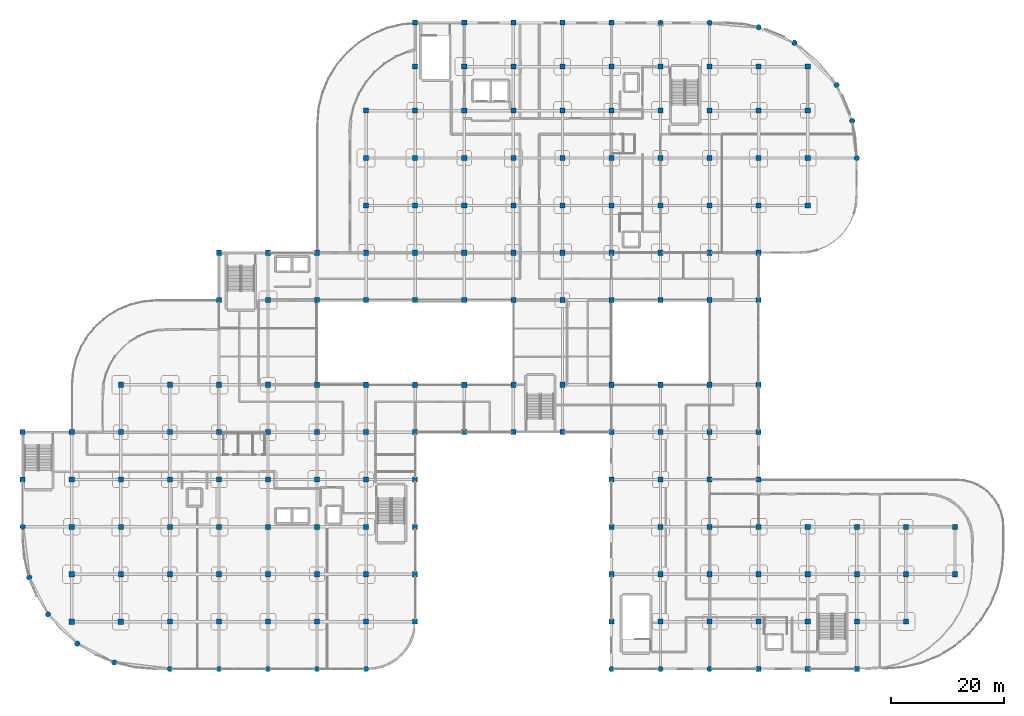
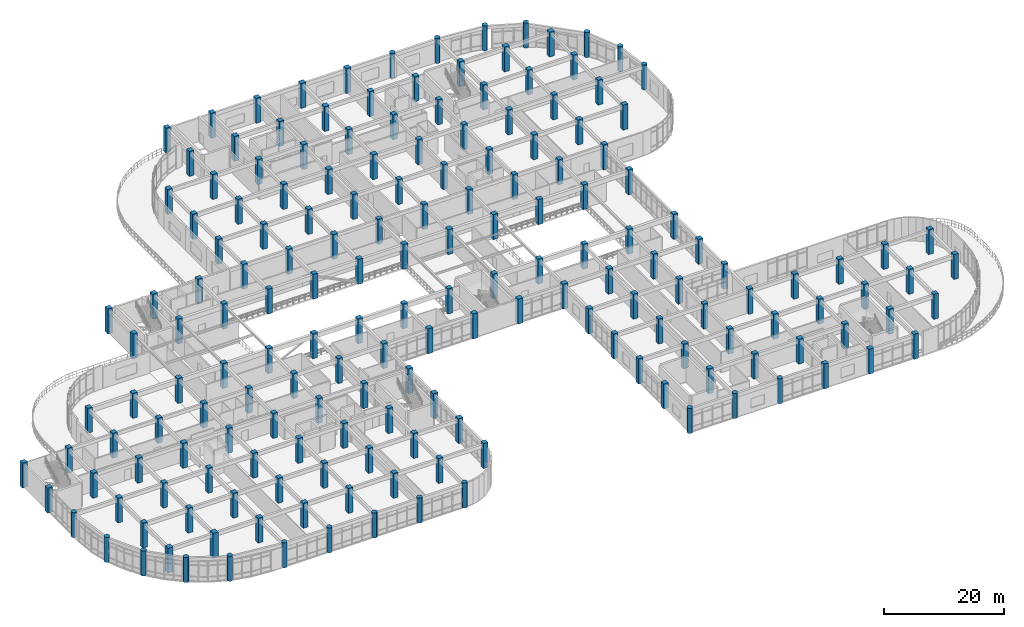
# One storey, part 1 of 120: 181 columns.
"""IFC4 building model written with IfcOpenShell, lengths in metres."""

from ifc_helpers import new_model, si_unit, derived_unit, direction, frame, origin, origin_2d, place, context, subcontext, project, spatial, rectangle, circle, extrude, material, material_profile, profile_set, type_object, element, save


model = new_model("IFC4")

# Units and contexts
model_context = context("Model", 3, precision=1e-05, world=origin(), true_north=direction((0.0, 1.0)))
body_context = subcontext(model_context, "Body", "Model", "MODEL_VIEW")
ifc_project = project(units=[si_unit("LENGTHUNIT", "METRE"), si_unit("AREAUNIT", "SQUARE_METRE"), si_unit("VOLUMEUNIT", "CUBIC_METRE"), si_unit("PLANEANGLEUNIT", "RADIAN"), si_unit("MASSUNIT", "GRAM", prefix="KILO"), derived_unit("THERMALTRANSMITTANCEUNIT", [(si_unit("MASSUNIT", "GRAM", prefix="KILO"), 1), (si_unit("TIMEUNIT", "SECOND"), -3), (si_unit("THERMODYNAMICTEMPERATUREUNIT", "KELVIN"), -1)])], contexts=[model_context])

# Site, building, storey
site_placement = place(None, origin())
site = spatial("IfcSite", under=ifc_project, at=site_placement, CompositionType="ELEMENT")
building_placement = place(site_placement, origin())
building = spatial("IfcBuilding", under=site, at=building_placement, Name="Qinzheling Arcade Emporium", CompositionType="ELEMENT")
storey_placement = place(building_placement, frame((0.0, 0.0, 11.39990234375)))
storey = spatial("IfcBuildingStorey", under=building, at=storey_placement, Name="L03", CompositionType="ELEMENT", Elevation=11.39990234375)

# Columns
ifc_material = material(Name="Concrete C50", Category="concrete")
ifc_material_profile_1 = material_profile(ifc_material, circle(Radius=0.47509765625, at=origin_2d()), Name="RC D950", Category="concrete")
ifc_profile_set_1 = profile_set([ifc_material_profile_1], Name="Concrete C50")
column_type_1 = type_object("IfcColumnType", Name="Arcade Pier Column D950 C50", PredefinedType="PILASTER", material=ifc_profile_set_1)
for number, where, z_axis, x_axis, name in (
    (1, (0.0, 25.199951171875, 0.0), (0.0, 0.0, 1.0), (1.0, 0.0, 0.0), "Column COL-L03-1-D"),
    (2, (26.10009765625, 0.0, 0.0), (0.0, 0.0, 1.0), (1.0, 0.0, 0.0), "Column COL-L03-4-A"),
    (3, (34.800048828125, 0.0, 0.0), (0.0, 0.0, 1.0), (1.0, 0.0, 0.0), "Column COL-L03-5-A"),
    (4, (43.5, 0.0, 0.0), (0.0, 0.0, 1.0), (1.0, 0.0, 0.0), "Column COL-L03-6-A"),
    (5, (52.199951171875, 0.0, 0.0), (0.0, 0.0, 1.0), (1.0, 0.0, 0.0), "Column COL-L03-7-A"),
    (6, (60.89990234375, 0.0, 0.0), (0.0, 0.0, 1.0), (1.0, 0.0, 0.0), "Column COL-L03-8-A"),
    (7, (104.39990234375, 0.0, 0.0), (0.0, 0.0, 1.0), (1.0, 0.0, 0.0), "Column COL-L03-13-A"),
    (8, (113.10009765625, 0.0, 0.0), (0.0, 0.0, 1.0), (1.0, 0.0, 0.0), "Column COL-L03-14-A"),
    (9, (113.10009765625, 114.60009765625, 0.0), (0.0, 0.0, 1.0), (1.0, 0.0, 0.0), "Column COL-L03-14-P"),
    (10, (121.800048828125, 0.0, 0.0), (0.0, 0.0, 1.0), (1.0, 0.0, 0.0), "Column COL-L03-15-A"),
    (11, (121.800048828125, 114.60009765625, 0.0), (0.0, 0.0, 1.0), (1.0, 0.0, 0.0), "Column COL-L03-15-P"),
    (12, (147.89990234375, 90.60009765625, 0.0), (0.0, 0.0, 1.0), (1.0, 0.0, 0.0), "Column COL-L03-18-L"),
    (13, (1.14990234375, 16.238037109375, 0.0), (0.0, 0.0, 1.0), (1.0, 0.0, 0.0), "Curved Arcade Pier COL-L03-CV1-P01"),
    (14, (4.488037109375, 9.68701171875, 0.0), (0.0, 0.0, 1.0), (1.0, 0.0, 0.0), "Curved Arcade Pier COL-L03-CV1-P02"),
    (15, (9.68701171875, 4.488037109375, 0.0), (0.0, 0.0, 1.0), (1.0, 0.0, 0.0), "Curved Arcade Pier COL-L03-CV1-P03"),
    (16, (16.238037109375, 1.14990234375, 0.0), (0.0, 0.0, 1.0), (1.0, 0.0, 0.0), "Curved Arcade Pier COL-L03-CV1-P04"),
    (17, (147.09912109375, 97.181884765625, 0.0), (0.0, 0.0, 1.0), (1.0, 0.0, 0.0), "Curved Arcade Pier COL-L03-CV6-P01"),
    (18, (144.3291015625, 103.552978515625, 0.0), (0.0, 0.0, 1.0), (1.0, 0.0, 0.0), "Curved Arcade Pier COL-L03-CV6-P02"),
    (19, (136.85302734375, 111.029052734375, 0.0), (0.0, 0.0, 1.0), (1.0, 0.0, 0.0), "Curved Arcade Pier COL-L03-CV6-P03"),
    (20, (130.48193359375, 113.799072265625, 0.0), (0.0, 0.0, 1.0), (1.0, 0.0, 0.0), "Curved Arcade Pier COL-L03-CV6-P04"),
):
    element("IfcColumn", number, at=place(storey_placement, frame(where, z_axis=z_axis, x_axis=x_axis)), inside=storey, type_object=column_type_1, Name=name, PredefinedType="PILASTER", context=body_context, shape_type="SweptSolid", body=[
        extrude(circle(Radius=0.47509765625, at=origin_2d()), origin(), (0.0, 0.0, 1.0), 5.10009765625),
    ])
ifc_material_profile_2 = material_profile(ifc_material, rectangle(XDim=1.0, YDim=1.0, at=origin_2d()), Name="RC 1000x1000", Category="concrete")
ifc_profile_set_2 = profile_set([ifc_material_profile_2], Name="Concrete C50")
column_type_2 = type_object("IfcColumnType", Name="RC Column 1000x1000 C50", PredefinedType="COLUMN", material=ifc_profile_set_2)
for number, where, z_axis, x_axis, name in (
    (21, (8.699951171875, 8.39990234375, 0.0), (0.0, 0.0, 1.0), (1.0, 0.0, 0.0), "Column COL-L03-2-B"),
    (22, (17.39990234375, 8.39990234375, 0.0), (0.0, 0.0, 1.0), (1.0, 0.0, 0.0), "Column COL-L03-3-B"),
):
    element("IfcColumn", number, at=place(storey_placement, frame(where, z_axis=z_axis, x_axis=x_axis)), inside=storey, type_object=column_type_2, Name=name, PredefinedType="COLUMN", context=body_context, shape_type="SweptSolid", body=[
        extrude(rectangle(XDim=1.0, YDim=1.0, at=origin_2d()), origin(), (0.0, 0.0, 1.0), 5.10009765625),
    ])
ifc_material_profile_3 = material_profile(ifc_material, rectangle(XDim=0.89990234375, YDim=0.89990234375, at=origin_2d()), Name="RC 900x900", Category="concrete")
ifc_profile_set_3 = profile_set([ifc_material_profile_3], Name="Concrete C50")
column_type_3 = type_object("IfcColumnType", Name="RC Column 900x900 C50", PredefinedType="COLUMN", material=ifc_profile_set_3)
for number, where, z_axis, x_axis, name in (
    (23, (0.0, 33.60009765625, 0.0), (0.0, 0.0, 1.0), (1.0, 0.0, 0.0), "Column COL-L03-1-E"),
    (24, (0.0, 42.0, 0.0), (0.0, 0.0, 1.0), (1.0, 0.0, 0.0), "Column COL-L03-1-F"),
    (25, (8.699951171875, 16.800048828125, 0.0), (0.0, 0.0, 1.0), (1.0, 0.0, 0.0), "Column COL-L03-2-C"),
    (26, (8.699951171875, 25.199951171875, 0.0), (0.0, 0.0, 1.0), (1.0, 0.0, 0.0), "Column COL-L03-2-D"),
    (27, (8.699951171875, 33.60009765625, 0.0), (0.0, 0.0, 1.0), (1.0, 0.0, 0.0), "Column COL-L03-2-E"),
    (28, (8.699951171875, 42.0, 0.0), (0.0, 0.0, 1.0), (1.0, 0.0, 0.0), "Column COL-L03-2-F"),
    (29, (17.39990234375, 16.800048828125, 0.0), (0.0, 0.0, 1.0), (1.0, 0.0, 0.0), "Column COL-L03-3-C"),
    (30, (17.39990234375, 25.199951171875, 0.0), (0.0, 0.0, 1.0), (1.0, 0.0, 0.0), "Column COL-L03-3-D"),
    (31, (17.39990234375, 33.60009765625, 0.0), (0.0, 0.0, 1.0), (1.0, 0.0, 0.0), "Column COL-L03-3-E"),
    (32, (17.39990234375, 42.0, 0.0), (0.0, 0.0, 1.0), (1.0, 0.0, 0.0), "Column COL-L03-3-F"),
    (33, (17.39990234375, 50.39990234375, 0.0), (0.0, 0.0, 1.0), (1.0, 0.0, 0.0), "Column COL-L03-3-G"),
    (34, (26.10009765625, 8.39990234375, 0.0), (0.0, 0.0, 1.0), (1.0, 0.0, 0.0), "Column COL-L03-4-B"),
    (35, (26.10009765625, 16.800048828125, 0.0), (0.0, 0.0, 1.0), (1.0, 0.0, 0.0), "Column COL-L03-4-C"),
    (36, (26.10009765625, 25.199951171875, 0.0), (0.0, 0.0, 1.0), (1.0, 0.0, 0.0), "Column COL-L03-4-D"),
    (37, (26.10009765625, 33.60009765625, 0.0), (0.0, 0.0, 1.0), (1.0, 0.0, 0.0), "Column COL-L03-4-E"),
    (38, (26.10009765625, 42.0, 0.0), (0.0, 0.0, 1.0), (1.0, 0.0, 0.0), "Column COL-L03-4-F"),
    (39, (26.10009765625, 50.39990234375, 0.0), (0.0, 0.0, 1.0), (1.0, 0.0, 0.0), "Column COL-L03-4-G"),
    (40, (34.800048828125, 8.39990234375, 0.0), (0.0, 0.0, 1.0), (1.0, 0.0, 0.0), "Column COL-L03-5-B"),
    (41, (34.800048828125, 16.800048828125, 0.0), (0.0, 0.0, 1.0), (1.0, 0.0, 0.0), "Column COL-L03-5-C"),
    (42, (34.800048828125, 25.199951171875, 0.0), (0.0, 0.0, 1.0), (1.0, 0.0, 0.0), "Column COL-L03-5-D"),
    (43, (34.800048828125, 33.60009765625, 0.0), (0.0, 0.0, 1.0), (1.0, 0.0, 0.0), "Column COL-L03-5-E"),
    (44, (34.800048828125, 42.0, 0.0), (0.0, 0.0, 1.0), (1.0, 0.0, 0.0), "Column COL-L03-5-F"),
    (45, (34.800048828125, 50.39990234375, 0.0), (0.0, 0.0, 1.0), (1.0, 0.0, 0.0), "Column COL-L03-5-G"),
    (46, (34.800048828125, 65.39990234375, 0.0), (0.0, 0.0, 1.0), (1.0, 0.0, 0.0), "Column COL-L03-5-H"),
    (47, (34.800048828125, 73.800048828125, 0.0), (0.0, 0.0, 1.0), (1.0, 0.0, 0.0), "Column COL-L03-5-J"),
    (48, (43.5, 8.39990234375, 0.0), (0.0, 0.0, 1.0), (1.0, 0.0, 0.0), "Column COL-L03-6-B"),
    (49, (43.5, 16.800048828125, 0.0), (0.0, 0.0, 1.0), (1.0, 0.0, 0.0), "Column COL-L03-6-C"),
    (50, (43.5, 25.199951171875, 0.0), (0.0, 0.0, 1.0), (1.0, 0.0, 0.0), "Column COL-L03-6-D"),
    (51, (43.5, 33.60009765625, 0.0), (0.0, 0.0, 1.0), (1.0, 0.0, 0.0), "Column COL-L03-6-E"),
    (52, (43.5, 42.0, 0.0), (0.0, 0.0, 1.0), (1.0, 0.0, 0.0), "Column COL-L03-6-F"),
    (53, (43.5, 50.39990234375, 0.0), (0.0, 0.0, 1.0), (1.0, 0.0, 0.0), "Column COL-L03-6-G"),
    (54, (43.5, 65.39990234375, 0.0), (0.0, 0.0, 1.0), (1.0, 0.0, 0.0), "Column COL-L03-6-H"),
    (55, (43.5, 73.800048828125, 0.0), (0.0, 0.0, 1.0), (1.0, 0.0, 0.0), "Column COL-L03-6-J"),
    (56, (52.199951171875, 8.39990234375, 0.0), (0.0, 0.0, 1.0), (1.0, 0.0, 0.0), "Column COL-L03-7-B"),
    (57, (52.199951171875, 16.800048828125, 0.0), (0.0, 0.0, 1.0), (1.0, 0.0, 0.0), "Column COL-L03-7-C"),
    (58, (52.199951171875, 25.199951171875, 0.0), (0.0, 0.0, 1.0), (1.0, 0.0, 0.0), "Column COL-L03-7-D"),
    (59, (52.199951171875, 33.60009765625, 0.0), (0.0, 0.0, 1.0), (1.0, 0.0, 0.0), "Column COL-L03-7-E"),
    (60, (52.199951171875, 42.0, 0.0), (0.0, 0.0, 1.0), (1.0, 0.0, 0.0), "Column COL-L03-7-F"),
    (61, (52.199951171875, 50.39990234375, 0.0), (0.0, 0.0, 1.0), (1.0, 0.0, 0.0), "Column COL-L03-7-G"),
    (62, (52.199951171875, 65.39990234375, 0.0), (0.0, 0.0, 1.0), (1.0, 0.0, 0.0), "Column COL-L03-7-H"),
    (63, (52.199951171875, 73.800048828125, 0.0), (0.0, 0.0, 1.0), (1.0, 0.0, 0.0), "Column COL-L03-7-J"),
    (64, (60.89990234375, 8.39990234375, 0.0), (0.0, 0.0, 1.0), (1.0, 0.0, 0.0), "Column COL-L03-8-B"),
    (65, (60.89990234375, 16.800048828125, 0.0), (0.0, 0.0, 1.0), (1.0, 0.0, 0.0), "Column COL-L03-8-C"),
    (66, (60.89990234375, 25.199951171875, 0.0), (0.0, 0.0, 1.0), (1.0, 0.0, 0.0), "Column COL-L03-8-D"),
    (67, (60.89990234375, 33.60009765625, 0.0), (0.0, 0.0, 1.0), (1.0, 0.0, 0.0), "Column COL-L03-8-E"),
    (68, (60.89990234375, 42.0, 0.0), (0.0, 0.0, 1.0), (1.0, 0.0, 0.0), "Column COL-L03-8-F"),
    (69, (60.89990234375, 50.39990234375, 0.0), (0.0, 0.0, 1.0), (1.0, 0.0, 0.0), "Column COL-L03-8-G"),
    (70, (60.89990234375, 65.39990234375, 0.0), (0.0, 0.0, 1.0), (1.0, 0.0, 0.0), "Column COL-L03-8-H"),
    (71, (60.89990234375, 73.800048828125, 0.0), (0.0, 0.0, 1.0), (1.0, 0.0, 0.0), "Column COL-L03-8-J"),
    (72, (60.89990234375, 82.199951171875, 0.0), (0.0, 0.0, 1.0), (1.0, 0.0, 0.0), "Column COL-L03-8-K"),
    (73, (60.89990234375, 90.60009765625, 0.0), (0.0, 0.0, 1.0), (1.0, 0.0, 0.0), "Column COL-L03-8-L"),
    (74, (60.89990234375, 99.0, 0.0), (0.0, 0.0, 1.0), (1.0, 0.0, 0.0), "Column COL-L03-8-M"),
    (75, (69.60009765625, 8.39990234375, 0.0), (0.0, 0.0, 1.0), (1.0, 0.0, 0.0), "Column COL-L03-9-B"),
    (76, (69.60009765625, 16.800048828125, 0.0), (0.0, 0.0, 1.0), (1.0, 0.0, 0.0), "Column COL-L03-9-C"),
    (77, (69.60009765625, 25.199951171875, 0.0), (0.0, 0.0, 1.0), (1.0, 0.0, 0.0), "Column COL-L03-9-D"),
    (78, (69.60009765625, 33.60009765625, 0.0), (0.0, 0.0, 1.0), (1.0, 0.0, 0.0), "Column COL-L03-9-E"),
    (79, (69.60009765625, 42.0, 0.0), (0.0, 0.0, 1.0), (1.0, 0.0, 0.0), "Column COL-L03-9-F"),
    (80, (69.60009765625, 50.39990234375, 0.0), (0.0, 0.0, 1.0), (1.0, 0.0, 0.0), "Column COL-L03-9-G"),
    (81, (69.60009765625, 65.39990234375, 0.0), (0.0, 0.0, 1.0), (1.0, 0.0, 0.0), "Column COL-L03-9-H"),
    (82, (69.60009765625, 73.800048828125, 0.0), (0.0, 0.0, 1.0), (1.0, 0.0, 0.0), "Column COL-L03-9-J"),
    (83, (69.60009765625, 82.199951171875, 0.0), (0.0, 0.0, 1.0), (1.0, 0.0, 0.0), "Column COL-L03-9-K"),
    (84, (69.60009765625, 90.60009765625, 0.0), (0.0, 0.0, 1.0), (1.0, 0.0, 0.0), "Column COL-L03-9-L"),
    (85, (69.60009765625, 99.0, 0.0), (0.0, 0.0, 1.0), (1.0, 0.0, 0.0), "Column COL-L03-9-M"),
    (86, (69.60009765625, 106.800048828125, 0.0), (0.0, 0.0, 1.0), (1.0, 0.0, 0.0), "Column COL-L03-9-N"),
    (87, (69.60009765625, 114.60009765625, 0.0), (0.0, 0.0, 1.0), (1.0, 0.0, 0.0), "Column COL-L03-9-P"),
    (88, (78.300048828125, 42.0, 0.0), (0.0, 0.0, 1.0), (1.0, 0.0, 0.0), "Column COL-L03-10-F"),
    (89, (78.300048828125, 50.39990234375, 0.0), (0.0, 0.0, 1.0), (1.0, 0.0, 0.0), "Column COL-L03-10-G"),
    (90, (78.300048828125, 65.39990234375, 0.0), (0.0, 0.0, 1.0), (1.0, 0.0, 0.0), "Column COL-L03-10-H"),
    (91, (78.300048828125, 73.800048828125, 0.0), (0.0, 0.0, 1.0), (1.0, 0.0, 0.0), "Column COL-L03-10-J"),
    (92, (78.300048828125, 82.199951171875, 0.0), (0.0, 0.0, 1.0), (1.0, 0.0, 0.0), "Column COL-L03-10-K"),
    (93, (78.300048828125, 90.60009765625, 0.0), (0.0, 0.0, 1.0), (1.0, 0.0, 0.0), "Column COL-L03-10-L"),
    (94, (78.300048828125, 99.0, 0.0), (0.0, 0.0, 1.0), (1.0, 0.0, 0.0), "Column COL-L03-10-M"),
    (95, (78.300048828125, 106.800048828125, 0.0), (0.0, 0.0, 1.0), (1.0, 0.0, 0.0), "Column COL-L03-10-N"),
    (96, (78.300048828125, 114.60009765625, 0.0), (0.0, 0.0, 1.0), (1.0, 0.0, 0.0), "Column COL-L03-10-P"),
    (97, (87.0, 42.0, 0.0), (0.0, 0.0, 1.0), (1.0, 0.0, 0.0), "Column COL-L03-11-F"),
    (98, (87.0, 50.39990234375, 0.0), (0.0, 0.0, 1.0), (1.0, 0.0, 0.0), "Column COL-L03-11-G"),
    (99, (87.0, 65.39990234375, 0.0), (0.0, 0.0, 1.0), (1.0, 0.0, 0.0), "Column COL-L03-11-H"),
    (100, (87.0, 73.800048828125, 0.0), (0.0, 0.0, 1.0), (1.0, 0.0, 0.0), "Column COL-L03-11-J"),
    (101, (87.0, 82.199951171875, 0.0), (0.0, 0.0, 1.0), (1.0, 0.0, 0.0), "Column COL-L03-11-K"),
    (102, (87.0, 90.60009765625, 0.0), (0.0, 0.0, 1.0), (1.0, 0.0, 0.0), "Column COL-L03-11-L"),
    (103, (87.0, 99.0, 0.0), (0.0, 0.0, 1.0), (1.0, 0.0, 0.0), "Column COL-L03-11-M"),
    (104, (87.0, 106.800048828125, 0.0), (0.0, 0.0, 1.0), (1.0, 0.0, 0.0), "Column COL-L03-11-N"),
    (105, (87.0, 114.60009765625, 0.0), (0.0, 0.0, 1.0), (1.0, 0.0, 0.0), "Column COL-L03-11-P"),
    (106, (95.699951171875, 42.0, 0.0), (0.0, 0.0, 1.0), (1.0, 0.0, 0.0), "Column COL-L03-12-F"),
    (107, (95.699951171875, 50.39990234375, 0.0), (0.0, 0.0, 1.0), (1.0, 0.0, 0.0), "Column COL-L03-12-G"),
    (108, (95.699951171875, 65.39990234375, 0.0), (0.0, 0.0, 1.0), (1.0, 0.0, 0.0), "Column COL-L03-12-H"),
    (109, (95.699951171875, 73.800048828125, 0.0), (0.0, 0.0, 1.0), (1.0, 0.0, 0.0), "Column COL-L03-12-J"),
    (110, (95.699951171875, 82.199951171875, 0.0), (0.0, 0.0, 1.0), (1.0, 0.0, 0.0), "Column COL-L03-12-K"),
    (111, (95.699951171875, 90.60009765625, 0.0), (0.0, 0.0, 1.0), (1.0, 0.0, 0.0), "Column COL-L03-12-L"),
    (112, (95.699951171875, 99.0, 0.0), (0.0, 0.0, 1.0), (1.0, 0.0, 0.0), "Column COL-L03-12-M"),
    (113, (95.699951171875, 106.800048828125, 0.0), (0.0, 0.0, 1.0), (1.0, 0.0, 0.0), "Column COL-L03-12-N"),
    (114, (95.699951171875, 114.60009765625, 0.0), (0.0, 0.0, 1.0), (1.0, 0.0, 0.0), "Column COL-L03-12-P"),
    (115, (104.39990234375, 8.39990234375, 0.0), (0.0, 0.0, 1.0), (1.0, 0.0, 0.0), "Column COL-L03-13-B"),
    (116, (104.39990234375, 16.800048828125, 0.0), (0.0, 0.0, 1.0), (1.0, 0.0, 0.0), "Column COL-L03-13-C"),
    (117, (104.39990234375, 25.199951171875, 0.0), (0.0, 0.0, 1.0), (1.0, 0.0, 0.0), "Column COL-L03-13-D"),
    (118, (104.39990234375, 33.60009765625, 0.0), (0.0, 0.0, 1.0), (1.0, 0.0, 0.0), "Column COL-L03-13-E"),
    (119, (104.39990234375, 42.0, 0.0), (0.0, 0.0, 1.0), (1.0, 0.0, 0.0), "Column COL-L03-13-F"),
    (120, (104.39990234375, 50.39990234375, 0.0), (0.0, 0.0, 1.0), (1.0, 0.0, 0.0), "Column COL-L03-13-G"),
    (121, (104.39990234375, 65.39990234375, 0.0), (0.0, 0.0, 1.0), (1.0, 0.0, 0.0), "Column COL-L03-13-H"),
    (122, (104.39990234375, 73.800048828125, 0.0), (0.0, 0.0, 1.0), (1.0, 0.0, 0.0), "Column COL-L03-13-J"),
    (123, (104.39990234375, 82.199951171875, 0.0), (0.0, 0.0, 1.0), (1.0, 0.0, 0.0), "Column COL-L03-13-K"),
    (124, (104.39990234375, 90.60009765625, 0.0), (0.0, 0.0, 1.0), (1.0, 0.0, 0.0), "Column COL-L03-13-L"),
    (125, (104.39990234375, 99.0, 0.0), (0.0, 0.0, 1.0), (1.0, 0.0, 0.0), "Column COL-L03-13-M"),
    (126, (104.39990234375, 106.800048828125, 0.0), (0.0, 0.0, 1.0), (1.0, 0.0, 0.0), "Column COL-L03-13-N"),
    (127, (104.39990234375, 114.60009765625, 0.0), (0.0, 0.0, 1.0), (1.0, 0.0, 0.0), "Column COL-L03-13-P"),
    (128, (113.10009765625, 8.39990234375, 0.0), (0.0, 0.0, 1.0), (1.0, 0.0, 0.0), "Column COL-L03-14-B"),
    (129, (113.10009765625, 16.800048828125, 0.0), (0.0, 0.0, 1.0), (1.0, 0.0, 0.0), "Column COL-L03-14-C"),
    (130, (113.10009765625, 25.199951171875, 0.0), (0.0, 0.0, 1.0), (1.0, 0.0, 0.0), "Column COL-L03-14-D"),
    (131, (113.10009765625, 33.60009765625, 0.0), (0.0, 0.0, 1.0), (1.0, 0.0, 0.0), "Column COL-L03-14-E"),
    (132, (113.10009765625, 42.0, 0.0), (0.0, 0.0, 1.0), (1.0, 0.0, 0.0), "Column COL-L03-14-F"),
    (133, (113.10009765625, 50.39990234375, 0.0), (0.0, 0.0, 1.0), (1.0, 0.0, 0.0), "Column COL-L03-14-G"),
    (134, (113.10009765625, 65.39990234375, 0.0), (0.0, 0.0, 1.0), (1.0, 0.0, 0.0), "Column COL-L03-14-H"),
    (135, (113.10009765625, 73.800048828125, 0.0), (0.0, 0.0, 1.0), (1.0, 0.0, 0.0), "Column COL-L03-14-J"),
    (136, (113.10009765625, 82.199951171875, 0.0), (0.0, 0.0, 1.0), (1.0, 0.0, 0.0), "Column COL-L03-14-K"),
    (137, (113.10009765625, 90.60009765625, 0.0), (0.0, 0.0, 1.0), (1.0, 0.0, 0.0), "Column COL-L03-14-L"),
    (138, (113.10009765625, 99.0, 0.0), (0.0, 0.0, 1.0), (1.0, 0.0, 0.0), "Column COL-L03-14-M"),
    (139, (113.10009765625, 106.800048828125, 0.0), (0.0, 0.0, 1.0), (1.0, 0.0, 0.0), "Column COL-L03-14-N"),
    (140, (121.800048828125, 8.39990234375, 0.0), (0.0, 0.0, 1.0), (1.0, 0.0, 0.0), "Column COL-L03-15-B"),
    (141, (121.800048828125, 16.800048828125, 0.0), (0.0, 0.0, 1.0), (1.0, 0.0, 0.0), "Column COL-L03-15-C"),
    (142, (121.800048828125, 25.199951171875, 0.0), (0.0, 0.0, 1.0), (1.0, 0.0, 0.0), "Column COL-L03-15-D"),
    (143, (121.800048828125, 33.60009765625, 0.0), (0.0, 0.0, 1.0), (1.0, 0.0, 0.0), "Column COL-L03-15-E"),
    (144, (121.800048828125, 42.0, 0.0), (0.0, 0.0, 1.0), (1.0, 0.0, 0.0), "Column COL-L03-15-F"),
    (145, (121.800048828125, 50.39990234375, 0.0), (0.0, 0.0, 1.0), (1.0, 0.0, 0.0), "Column COL-L03-15-G"),
    (146, (121.800048828125, 65.39990234375, 0.0), (0.0, 0.0, 1.0), (1.0, 0.0, 0.0), "Column COL-L03-15-H"),
    (147, (121.800048828125, 73.800048828125, 0.0), (0.0, 0.0, 1.0), (1.0, 0.0, 0.0), "Column COL-L03-15-J"),
    (148, (121.800048828125, 82.199951171875, 0.0), (0.0, 0.0, 1.0), (1.0, 0.0, 0.0), "Column COL-L03-15-K"),
    (149, (121.800048828125, 90.60009765625, 0.0), (0.0, 0.0, 1.0), (1.0, 0.0, 0.0), "Column COL-L03-15-L"),
    (150, (121.800048828125, 99.0, 0.0), (0.0, 0.0, 1.0), (1.0, 0.0, 0.0), "Column COL-L03-15-M"),
    (151, (121.800048828125, 106.800048828125, 0.0), (0.0, 0.0, 1.0), (1.0, 0.0, 0.0), "Column COL-L03-15-N"),
    (152, (130.5, 0.0, 0.0), (0.0, 0.0, 1.0), (1.0, 0.0, 0.0), "Column COL-L03-16-A"),
    (153, (130.5, 8.39990234375, 0.0), (0.0, 0.0, 1.0), (1.0, 0.0, 0.0), "Column COL-L03-16-B"),
    (154, (130.5, 16.800048828125, 0.0), (0.0, 0.0, 1.0), (1.0, 0.0, 0.0), "Column COL-L03-16-C"),
    (155, (130.5, 25.199951171875, 0.0), (0.0, 0.0, 1.0), (1.0, 0.0, 0.0), "Column COL-L03-16-D"),
    (156, (130.5, 33.60009765625, 0.0), (0.0, 0.0, 1.0), (1.0, 0.0, 0.0), "Column COL-L03-16-E"),
    (157, (130.5, 42.0, 0.0), (0.0, 0.0, 1.0), (1.0, 0.0, 0.0), "Column COL-L03-16-F"),
    (158, (130.5, 50.39990234375, 0.0), (0.0, 0.0, 1.0), (1.0, 0.0, 0.0), "Column COL-L03-16-G"),
    (159, (130.5, 65.39990234375, 0.0), (0.0, 0.0, 1.0), (1.0, 0.0, 0.0), "Column COL-L03-16-H"),
    (160, (130.5, 73.800048828125, 0.0), (0.0, 0.0, 1.0), (1.0, 0.0, 0.0), "Column COL-L03-16-J"),
    (161, (130.5, 82.199951171875, 0.0), (0.0, 0.0, 1.0), (1.0, 0.0, 0.0), "Column COL-L03-16-K"),
    (162, (130.5, 90.60009765625, 0.0), (0.0, 0.0, 1.0), (1.0, 0.0, 0.0), "Column COL-L03-16-L"),
    (163, (130.5, 99.0, 0.0), (0.0, 0.0, 1.0), (1.0, 0.0, 0.0), "Column COL-L03-16-M"),
    (164, (130.5, 106.800048828125, 0.0), (0.0, 0.0, 1.0), (1.0, 0.0, 0.0), "Column COL-L03-16-N"),
    (165, (139.199951171875, 0.0, 0.0), (0.0, 0.0, 1.0), (1.0, 0.0, 0.0), "Column COL-L03-17-A"),
    (166, (139.199951171875, 8.39990234375, 0.0), (0.0, 0.0, 1.0), (1.0, 0.0, 0.0), "Column COL-L03-17-B"),
    (167, (139.199951171875, 16.800048828125, 0.0), (0.0, 0.0, 1.0), (1.0, 0.0, 0.0), "Column COL-L03-17-C"),
    (168, (139.199951171875, 25.199951171875, 0.0), (0.0, 0.0, 1.0), (1.0, 0.0, 0.0), "Column COL-L03-17-D"),
    (169, (139.199951171875, 82.199951171875, 0.0), (0.0, 0.0, 1.0), (1.0, 0.0, 0.0), "Column COL-L03-17-K"),
    (170, (139.199951171875, 90.60009765625, 0.0), (0.0, 0.0, 1.0), (1.0, 0.0, 0.0), "Column COL-L03-17-L"),
    (171, (139.199951171875, 99.0, 0.0), (0.0, 0.0, 1.0), (1.0, 0.0, 0.0), "Column COL-L03-17-M"),
    (172, (139.199951171875, 106.800048828125, 0.0), (0.0, 0.0, 1.0), (1.0, 0.0, 0.0), "Column COL-L03-17-N"),
    (173, (147.89990234375, 0.0, 0.0), (0.0, 0.0, 1.0), (1.0, 0.0, 0.0), "Column COL-L03-18-A"),
    (174, (147.89990234375, 8.39990234375, 0.0), (0.0, 0.0, 1.0), (1.0, 0.0, 0.0), "Column COL-L03-18-B"),
    (175, (147.89990234375, 16.800048828125, 0.0), (0.0, 0.0, 1.0), (1.0, 0.0, 0.0), "Column COL-L03-18-C"),
    (176, (147.89990234375, 25.199951171875, 0.0), (0.0, 0.0, 1.0), (1.0, 0.0, 0.0), "Column COL-L03-18-D"),
    (177, (156.60009765625, 8.39990234375, 0.0), (0.0, 0.0, 1.0), (1.0, 0.0, 0.0), "Column COL-L03-19-B"),
    (178, (156.60009765625, 16.800048828125, 0.0), (0.0, 0.0, 1.0), (1.0, 0.0, 0.0), "Column COL-L03-19-C"),
    (179, (156.60009765625, 25.199951171875, 0.0), (0.0, 0.0, 1.0), (1.0, 0.0, 0.0), "Column COL-L03-19-D"),
    (180, (165.300048828125, 16.800048828125, 0.0), (0.0, 0.0, 1.0), (1.0, 0.0, 0.0), "Column COL-L03-20-C"),
    (181, (165.300048828125, 25.199951171875, 0.0), (0.0, 0.0, 1.0), (1.0, 0.0, 0.0), "Column COL-L03-20-D"),
):
    element("IfcColumn", number, at=place(storey_placement, frame(where, z_axis=z_axis, x_axis=x_axis)), inside=storey, type_object=column_type_3, Name=name, PredefinedType="COLUMN", context=body_context, shape_type="SweptSolid", body=[
        extrude(rectangle(XDim=0.89990234375, YDim=0.89990234375, at=origin_2d()), origin(), (0.0, 0.0, 1.0), 5.10009765625),
    ])

save(model, "model.ifc")
